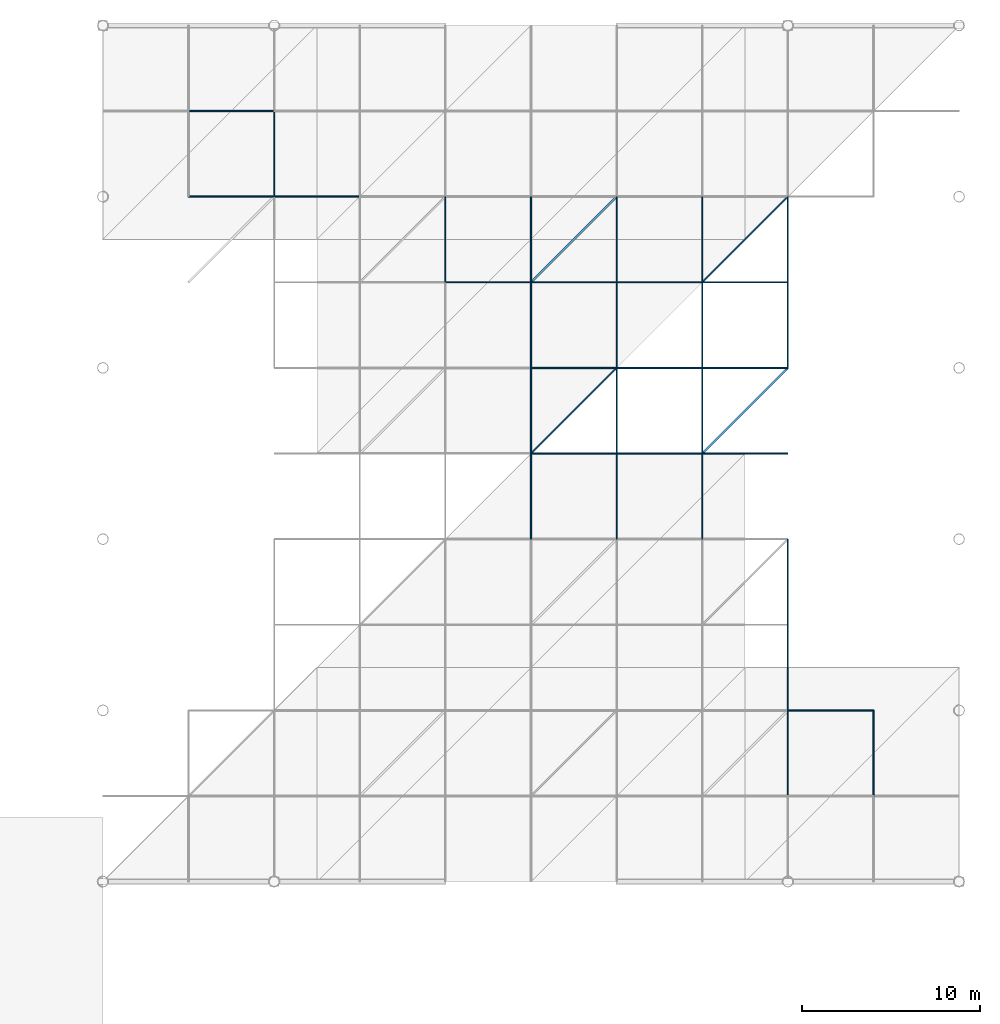
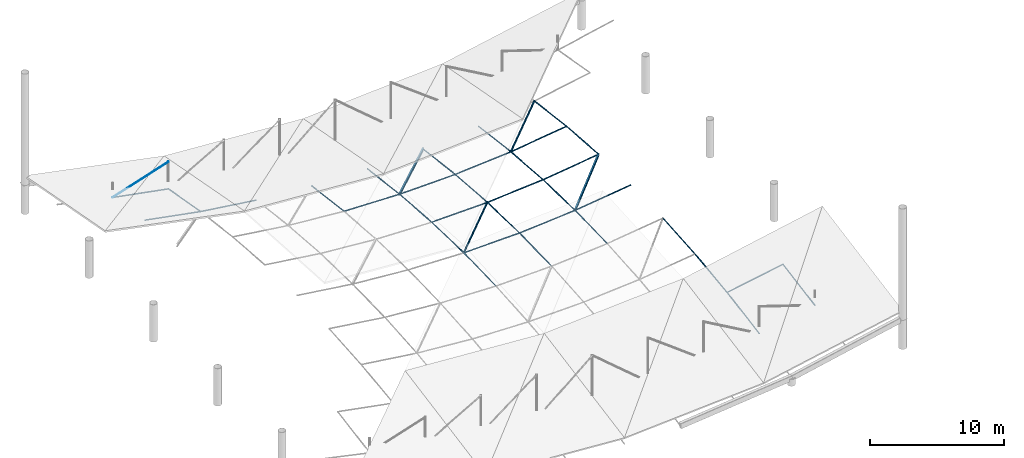
# One storey, part 22 of 40: 39 members.
"""IFC4 building model written with IfcOpenShell, lengths in metres."""

from ifc_helpers import new_model, si_unit, direction, frame, origin, origin_2d, place, context, subcontext, project, spatial, hollow_rectangle, circle, i_section, extrude, material, material_profile, profile_set, type_object, element, save


model = new_model("IFC4")

# Units and contexts
model_context = context("Model", 3, precision=1e-05, world=origin(), true_north=direction((0.0, 1.0)))
body_context = subcontext(model_context, "Body", "Model", "MODEL_VIEW")
ifc_project = project(units=[si_unit("LENGTHUNIT", "METRE"), si_unit("AREAUNIT", "SQUARE_METRE"), si_unit("VOLUMEUNIT", "CUBIC_METRE"), si_unit("PLANEANGLEUNIT", "RADIAN"), si_unit("MASSUNIT", "GRAM", prefix="KILO")], contexts=[model_context])

# Site, building, storey
site_placement = place(None, origin())
site = spatial("IfcSite", under=ifc_project, at=site_placement, CompositionType="ELEMENT")
building_placement = place(site_placement, origin())
building = spatial("IfcBuilding", under=site, at=building_placement, Name="Zevrakil Square Congress Hotel", CompositionType="ELEMENT")
storey_placement = place(building_placement, frame((0.0, 0.0, 18.10009765625)))
storey = spatial("IfcBuildingStorey", under=building, at=storey_placement, Name="L05", CompositionType="ELEMENT", Elevation=18.10009765625)

# Members
ifc_material_1 = material(Name="Steel S355", Category="steel")
ifc_material_profile_1 = material_profile(ifc_material_1, circle(Radius=0.030029296875, at=origin_2d()), Name="CABLE RD60")
ifc_profile_set_1 = profile_set([ifc_material_profile_1], Name="Steel S355")
member_type_1 = type_object("IfcMemberType", Name="MEM-CABLE-RD60", PredefinedType="USERDEFINED", material=ifc_profile_set_1)
member_1_placement = place(storey_placement, frame((122.39990234375, 108.0, 2.577880859375), z_axis=(0.95029004287, 0.0, 0.311366077828), x_axis=(0.0, 1.0, 0.0)))
element("IfcMember", 1, at=member_1_placement, inside=storey, type_object=member_type_1, Name="Congress cable-truss web diagonal CBD-09-2", ObjectType="ROOF CABLE", PredefinedType="USERDEFINED", context=body_context, shape_type="SweptSolid", body=[
    extrude(circle(Radius=0.030029296875, at=origin_2d()), origin(), (0.0, 0.0, 1.0), 5.051025390625),
])
ifc_material_2 = material(Name="Steel S355", Category="steel")
ifc_material_profile_2 = material_profile(ifc_material_2, circle(Radius=0.033935546875, at=origin_2d()), Name="CABLE RD68")
ifc_profile_set_2 = profile_set([ifc_material_profile_2], Name="Steel S355")
member_type_2 = type_object("IfcMemberType", Name="MEM-CABLE-RD68", PredefinedType="USERDEFINED", material=ifc_profile_set_2)
member_2_placement = place(storey_placement, frame((127.199951171875, 103.199951171875, 2.531982421875), z_axis=(0.0, 0.98502770223, -0.172396130582), x_axis=(-1.0, 0.0, 0.0)))
element("IfcMember", 2, at=member_2_placement, inside=storey, type_object=member_type_2, Name="Congress saddle stabilizing cable CBH-02 seg 9", ObjectType="ROOF CABLE", PredefinedType="USERDEFINED", context=body_context, shape_type="SweptSolid", body=[
    extrude(circle(Radius=0.033935546875, at=origin_2d()), origin(), (0.0, 0.0, 1.0), 4.873046875),
])
member_3_placement = place(storey_placement, frame((136.800048828125, 98.39990234375, 2.10791015625), z_axis=(0.0, 0.99227554719, -0.12405336936), x_axis=(-1.0, 0.0, 0.0)))
element("IfcMember", 3, at=member_3_placement, inside=storey, type_object=member_type_2, Name="Congress saddle stabilizing cable CBH-04 seg 8", ObjectType="ROOF CABLE", PredefinedType="USERDEFINED", context=body_context, shape_type="SweptSolid", body=[
    extrude(circle(Radius=0.033935546875, at=origin_2d()), origin(), (0.0, 0.0, 1.0), 4.83740234375),
])
for number, where, z_axis, x_axis, name in (
    (4, (141.60009765625, 84.0, 2.33984375), (0.0, 0.999687042695, 0.02501632801), (-1.0, 0.0, 0.0), "Congress saddle stabilizing cable CBH-05 seg 5"),
    (5, (141.60009765625, 88.800048828125, 2.4599609375), (0.0, 0.999687042695, -0.02501632801), (-1.0, 0.0, 0.0), "Congress saddle stabilizing cable CBH-05 seg 6"),
):
    element("IfcMember", number, at=place(storey_placement, frame(where, z_axis=z_axis, x_axis=x_axis)), inside=storey, type_object=member_type_2, Name=name, ObjectType="ROOF CABLE", PredefinedType="USERDEFINED", context=body_context, shape_type="SweptSolid", body=[
        extrude(circle(Radius=0.033935546875, at=origin_2d()), origin(), (0.0, 0.0, 1.0), 4.801513671875),
    ])
member_4_placement = place(storey_placement, frame((141.60009765625, 93.60009765625, 2.33984375), z_axis=(0.0, 0.997201201018, -0.074764728906), x_axis=(-1.0, 0.0, 0.0)))
element("IfcMember", 6, at=member_4_placement, inside=storey, type_object=member_type_2, Name="Congress saddle stabilizing cable CBH-05 seg 7", ObjectType="ROOF CABLE", PredefinedType="USERDEFINED", context=body_context, shape_type="SweptSolid", body=[
    extrude(circle(Radius=0.033935546875, at=origin_2d()), origin(), (0.0, 0.0, 1.0), 4.813232421875),
])
member_5_placement = place(storey_placement, frame((141.60009765625, 98.39990234375, 1.97998046875), z_axis=(0.0, 0.99227554719, -0.12405336936), x_axis=(-1.0, 0.0, 0.0)))
element("IfcMember", 7, at=member_5_placement, inside=storey, type_object=member_type_2, Name="Congress saddle stabilizing cable CBH-05 seg 8", ObjectType="ROOF CABLE", PredefinedType="USERDEFINED", context=body_context, shape_type="SweptSolid", body=[
    extrude(circle(Radius=0.033935546875, at=origin_2d()), origin(), (0.0, 0.0, 1.0), 4.83740234375),
])
for number, where, z_axis, x_axis, name in (
    (8, (146.39990234375, 84.0, 2.468017578125), (0.0, 0.999688312992, 0.024965513538), (-1.0, 0.0, 0.0), "Congress saddle stabilizing cable CBH-06 seg 5"),
    (9, (146.39990234375, 88.800048828125, 2.587890625), (0.0, 0.999688312992, -0.024965513538), (-1.0, 0.0, 0.0), "Congress saddle stabilizing cable CBH-06 seg 6"),
):
    element("IfcMember", number, at=place(storey_placement, frame(where, z_axis=z_axis, x_axis=x_axis)), inside=storey, type_object=member_type_2, Name=name, ObjectType="ROOF CABLE", PredefinedType="USERDEFINED", context=body_context, shape_type="SweptSolid", body=[
        extrude(circle(Radius=0.033935546875, at=origin_2d()), origin(), (0.0, 0.0, 1.0), 4.801513671875),
    ])
member_6_placement = place(storey_placement, frame((146.39990234375, 93.60009765625, 2.468017578125), z_axis=(0.0, 0.997197418128, -0.074815167433), x_axis=(-1.0, 0.0, 0.0)))
element("IfcMember", 10, at=member_6_placement, inside=storey, type_object=member_type_2, Name="Congress saddle stabilizing cable CBH-06 seg 7", ObjectType="ROOF CABLE", PredefinedType="USERDEFINED", context=body_context, shape_type="SweptSolid", body=[
    extrude(circle(Radius=0.033935546875, at=origin_2d()), origin(), (0.0, 0.0, 1.0), 4.813232421875),
])
member_7_placement = place(storey_placement, frame((146.39990234375, 98.39990234375, 2.10791015625), z_axis=(0.0, 0.99227554719, -0.12405336936), x_axis=(-1.0, 0.0, 0.0)))
element("IfcMember", 11, at=member_7_placement, inside=storey, type_object=member_type_2, Name="Congress saddle stabilizing cable CBH-06 seg 8", ObjectType="ROOF CABLE", PredefinedType="USERDEFINED", context=body_context, shape_type="SweptSolid", body=[
    extrude(circle(Radius=0.033935546875, at=origin_2d()), origin(), (0.0, 0.0, 1.0), 4.83740234375),
])
for number, where, z_axis, x_axis, name in (
    (12, (151.199951171875, 84.0, 2.851806640625), (0.0, 0.999687042695, 0.02501632801), (-1.0, 0.0, 0.0), "Congress saddle stabilizing cable CBH-07 seg 5"),
    (13, (151.199951171875, 88.800048828125, 2.971923828125), (0.0, 0.999687042695, -0.02501632801), (-1.0, 0.0, 0.0), "Congress saddle stabilizing cable CBH-07 seg 6"),
):
    element("IfcMember", number, at=place(storey_placement, frame(where, z_axis=z_axis, x_axis=x_axis)), inside=storey, type_object=member_type_2, Name=name, ObjectType="ROOF CABLE", PredefinedType="USERDEFINED", context=body_context, shape_type="SweptSolid", body=[
        extrude(circle(Radius=0.033935546875, at=origin_2d()), origin(), (0.0, 0.0, 1.0), 4.801513671875),
    ])
member_8_placement = place(storey_placement, frame((151.199951171875, 93.60009765625, 2.851806640625), z_axis=(0.0, 0.997201201018, -0.074764728906), x_axis=(-1.0, 0.0, 0.0)))
element("IfcMember", 14, at=member_8_placement, inside=storey, type_object=member_type_2, Name="Congress saddle stabilizing cable CBH-07 seg 7", ObjectType="ROOF CABLE", PredefinedType="USERDEFINED", context=body_context, shape_type="SweptSolid", body=[
    extrude(circle(Radius=0.033935546875, at=origin_2d()), origin(), (0.0, 0.0, 1.0), 4.813232421875),
])
member_9_placement = place(storey_placement, frame((151.199951171875, 98.39990234375, 2.491943359375), z_axis=(0.0, 0.99227554719, -0.12405336936), x_axis=(-1.0, 0.0, 0.0)))
element("IfcMember", 15, at=member_9_placement, inside=storey, type_object=member_type_2, Name="Congress saddle stabilizing cable CBH-07 seg 8", ObjectType="ROOF CABLE", PredefinedType="USERDEFINED", context=body_context, shape_type="SweptSolid", body=[
    extrude(circle(Radius=0.033935546875, at=origin_2d()), origin(), (0.0, 0.0, 1.0), 4.83740234375),
])
member_10_placement = place(storey_placement, frame((156.0, 69.60009765625, 1.69189453125), z_axis=(0.0, 0.985026213109, 0.172404638825), x_axis=(-1.0, 0.0, 0.0)))
element("IfcMember", 16, at=member_10_placement, inside=storey, type_object=member_type_2, Name="Congress saddle stabilizing cable CBH-08 seg 2", ObjectType="ROOF CABLE", PredefinedType="USERDEFINED", context=body_context, shape_type="SweptSolid", body=[
    extrude(circle(Radius=0.033935546875, at=origin_2d()), origin(), (0.0, 0.0, 1.0), 4.872802734375),
])
member_11_placement = place(storey_placement, frame((156.0, 74.39990234375, 2.531982421875), z_axis=(0.0, 0.9922817585, 0.124003676346), x_axis=(-1.0, 0.0, 0.0)))
element("IfcMember", 17, at=member_11_placement, inside=storey, type_object=member_type_2, Name="Congress saddle stabilizing cable CBH-08 seg 3", ObjectType="ROOF CABLE", PredefinedType="USERDEFINED", context=body_context, shape_type="SweptSolid", body=[
    extrude(circle(Radius=0.033935546875, at=origin_2d()), origin(), (0.0, 0.0, 1.0), 4.83740234375),
])
member_12_placement = place(storey_placement, frame((156.0, 79.199951171875, 3.1318359375), z_axis=(0.0, 0.997197702014, 0.074811383473), x_axis=(-1.0, 0.0, 0.0)))
element("IfcMember", 18, at=member_12_placement, inside=storey, type_object=member_type_2, Name="Congress saddle stabilizing cable CBH-08 seg 4", ObjectType="ROOF CABLE", PredefinedType="USERDEFINED", context=body_context, shape_type="SweptSolid", body=[
    extrude(circle(Radius=0.033935546875, at=origin_2d()), origin(), (0.0, 0.0, 1.0), 4.8134765625),
])
member_13_placement = place(storey_placement, frame((156.0, 93.60009765625, 3.491943359375), z_axis=(0.0, 0.997197418128, -0.074815167433), x_axis=(-1.0, 0.0, 0.0)))
element("IfcMember", 19, at=member_13_placement, inside=storey, type_object=member_type_2, Name="Congress saddle stabilizing cable CBH-08 seg 7", ObjectType="ROOF CABLE", PredefinedType="USERDEFINED", context=body_context, shape_type="SweptSolid", body=[
    extrude(circle(Radius=0.033935546875, at=origin_2d()), origin(), (0.0, 0.0, 1.0), 4.813232421875),
])
member_14_placement = place(storey_placement, frame((156.0, 98.39990234375, 3.1318359375), z_axis=(0.0, 0.9922817585, -0.124003676346), x_axis=(-1.0, 0.0, 0.0)))
element("IfcMember", 20, at=member_14_placement, inside=storey, type_object=member_type_2, Name="Congress saddle stabilizing cable CBH-08 seg 8", ObjectType="ROOF CABLE", PredefinedType="USERDEFINED", context=body_context, shape_type="SweptSolid", body=[
    extrude(circle(Radius=0.033935546875, at=origin_2d()), origin(), (0.0, 0.0, 1.0), 4.83740234375),
])
member_15_placement = place(storey_placement, frame((160.800048828125, 69.60009765625, 2.587890625), z_axis=(0.0, 0.985026213109, 0.172404638825), x_axis=(-1.0, 0.0, 0.0)))
element("IfcMember", 21, at=member_15_placement, inside=storey, type_object=member_type_2, Name="Congress saddle stabilizing cable CBH-09 seg 2", ObjectType="ROOF CABLE", PredefinedType="USERDEFINED", context=body_context, shape_type="SweptSolid", body=[
    extrude(circle(Radius=0.033935546875, at=origin_2d()), origin(), (0.0, 0.0, 1.0), 4.872802734375),
])
ifc_material_3 = material(Name="Steel S355", Category="steel")
ifc_material_profile_3 = material_profile(ifc_material_3, circle(Radius=0.0380859375, at=origin_2d()), Name="CABLE RD76")
ifc_profile_set_3 = profile_set([ifc_material_profile_3], Name="Steel S355")
member_type_3 = type_object("IfcMemberType", Name="MEM-CABLE-RD76", PredefinedType="USERDEFINED", material=ifc_profile_set_3)
member_16_placement = place(storey_placement, frame((156.0, 74.39990234375, 2.52197265625), z_axis=(0.983020729765, 0.0, 0.183494536302), x_axis=(0.0, 1.0, 0.0)))
element("IfcMember", 22, at=member_16_placement, inside=storey, type_object=member_type_3, Name="Congress saddle carrying cable CBS-02 seg 9", ObjectType="ROOF CABLE", PredefinedType="USERDEFINED", context=body_context, shape_type="SweptSolid", body=[
    extrude(circle(Radius=0.0380859375, at=origin_2d()), origin(), (0.0, 0.0, 1.0), 4.883056640625),
])
member_17_placement = place(storey_placement, frame((141.60009765625, 88.800048828125, 2.449951171875), z_axis=(0.999644995189, 0.0, 0.026643640767), x_axis=(0.0, 1.0, 0.0)))
element("IfcMember", 23, at=member_17_placement, inside=storey, type_object=member_type_3, Name="Congress saddle carrying cable CBS-05 seg 6", ObjectType="ROOF CABLE", PredefinedType="USERDEFINED", context=body_context, shape_type="SweptSolid", body=[
    extrude(circle(Radius=0.0380859375, at=origin_2d()), origin(), (0.0, 0.0, 1.0), 4.801513671875),
])
member_18_placement = place(storey_placement, frame((146.39990234375, 88.800048828125, 2.577880859375), z_axis=(0.996814794892, 0.0, 0.079751267604), x_axis=(0.0, 1.0, 0.0)))
element("IfcMember", 24, at=member_18_placement, inside=storey, type_object=member_type_3, Name="Congress saddle carrying cable CBS-05 seg 7", ObjectType="ROOF CABLE", PredefinedType="USERDEFINED", context=body_context, shape_type="SweptSolid", body=[
    extrude(circle(Radius=0.0380859375, at=origin_2d()), origin(), (0.0, 0.0, 1.0), 4.8154296875),
])
member_19_placement = place(storey_placement, frame((151.199951171875, 88.800048828125, 2.9619140625), z_axis=(0.99123098262, 0.0, 0.132140603502), x_axis=(0.0, 1.0, 0.0)))
element("IfcMember", 25, at=member_19_placement, inside=storey, type_object=member_type_3, Name="Congress saddle carrying cable CBS-05 seg 8", ObjectType="ROOF CABLE", PredefinedType="USERDEFINED", context=body_context, shape_type="SweptSolid", body=[
    extrude(circle(Radius=0.0380859375, at=origin_2d()), origin(), (0.0, 0.0, 1.0), 4.842529296875),
])
member_20_placement = place(storey_placement, frame((141.60009765625, 93.60009765625, 2.329833984375), z_axis=(0.999643639641, 0.0, 0.026694451211), x_axis=(0.0, 1.0, 0.0)))
element("IfcMember", 26, at=member_20_placement, inside=storey, type_object=member_type_3, Name="Congress saddle carrying cable CBS-06 seg 6", ObjectType="ROOF CABLE", PredefinedType="USERDEFINED", context=body_context, shape_type="SweptSolid", body=[
    extrude(circle(Radius=0.0380859375, at=origin_2d()), origin(), (0.0, 0.0, 1.0), 4.801513671875),
])
member_21_placement = place(storey_placement, frame((146.39990234375, 93.60009765625, 2.4580078125), z_axis=(0.996818824154, 0.0, 0.079700889658), x_axis=(0.0, 1.0, 0.0)))
element("IfcMember", 27, at=member_21_placement, inside=storey, type_object=member_type_3, Name="Congress saddle carrying cable CBS-06 seg 7", ObjectType="ROOF CABLE", PredefinedType="USERDEFINED", context=body_context, shape_type="SweptSolid", body=[
    extrude(circle(Radius=0.0380859375, at=origin_2d()), origin(), (0.0, 0.0, 1.0), 4.8154296875),
])
member_22_placement = place(storey_placement, frame((151.199951171875, 93.60009765625, 2.841796875), z_axis=(0.991224377832, 0.0, 0.132190138786), x_axis=(0.0, 1.0, 0.0)))
element("IfcMember", 28, at=member_22_placement, inside=storey, type_object=member_type_3, Name="Congress saddle carrying cable CBS-06 seg 8", ObjectType="ROOF CABLE", PredefinedType="USERDEFINED", context=body_context, shape_type="SweptSolid", body=[
    extrude(circle(Radius=0.0380859375, at=origin_2d()), origin(), (0.0, 0.0, 1.0), 4.842529296875),
])
member_23_placement = place(storey_placement, frame((136.800048828125, 98.39990234375, 2.097900390625), z_axis=(0.999645031282, 0.0, -0.026642286577), x_axis=(0.0, 1.0, 0.0)))
element("IfcMember", 29, at=member_23_placement, inside=storey, type_object=member_type_3, Name="Congress saddle carrying cable CBS-07 seg 5", ObjectType="ROOF CABLE", PredefinedType="USERDEFINED", context=body_context, shape_type="SweptSolid", body=[
    extrude(circle(Radius=0.0380859375, at=origin_2d()), origin(), (0.0, 0.0, 1.0), 4.8017578125),
])
member_24_placement = place(storey_placement, frame((141.60009765625, 98.39990234375, 1.969970703125), z_axis=(0.999644995189, 0.0, 0.026643640767), x_axis=(0.0, 1.0, 0.0)))
element("IfcMember", 30, at=member_24_placement, inside=storey, type_object=member_type_3, Name="Congress saddle carrying cable CBS-07 seg 6", ObjectType="ROOF CABLE", PredefinedType="USERDEFINED", context=body_context, shape_type="SweptSolid", body=[
    extrude(circle(Radius=0.0380859375, at=origin_2d()), origin(), (0.0, 0.0, 1.0), 4.801513671875),
])
member_25_placement = place(storey_placement, frame((146.39990234375, 98.39990234375, 2.097900390625), z_axis=(0.996814794892, 0.0, 0.079751267604), x_axis=(0.0, 1.0, 0.0)))
element("IfcMember", 31, at=member_25_placement, inside=storey, type_object=member_type_3, Name="Congress saddle carrying cable CBS-07 seg 7", ObjectType="ROOF CABLE", PredefinedType="USERDEFINED", context=body_context, shape_type="SweptSolid", body=[
    extrude(circle(Radius=0.0380859375, at=origin_2d()), origin(), (0.0, 0.0, 1.0), 4.8154296875),
])
member_26_placement = place(storey_placement, frame((151.199951171875, 98.39990234375, 2.48193359375), z_axis=(0.99123098262, 0.0, 0.132140603502), x_axis=(0.0, 1.0, 0.0)))
element("IfcMember", 32, at=member_26_placement, inside=storey, type_object=member_type_3, Name="Congress saddle carrying cable CBS-07 seg 8", ObjectType="ROOF CABLE", PredefinedType="USERDEFINED", context=body_context, shape_type="SweptSolid", body=[
    extrude(circle(Radius=0.0380859375, at=origin_2d()), origin(), (0.0, 0.0, 1.0), 4.842529296875),
])
member_27_placement = place(storey_placement, frame((122.39990234375, 103.199951171875, 3.41796875), z_axis=(0.983020729765, 0.0, -0.183494536302), x_axis=(0.0, 1.0, 0.0)))
element("IfcMember", 33, at=member_27_placement, inside=storey, type_object=member_type_3, Name="Congress saddle carrying cable CBS-08 seg 2", ObjectType="ROOF CABLE", PredefinedType="USERDEFINED", context=body_context, shape_type="SweptSolid", body=[
    extrude(circle(Radius=0.0380859375, at=origin_2d()), origin(), (0.0, 0.0, 1.0), 4.883056640625),
])
member_28_placement = place(storey_placement, frame((127.199951171875, 103.199951171875, 2.52197265625), z_axis=(0.991224377832, 0.0, -0.132190138786), x_axis=(0.0, 1.0, 0.0)))
element("IfcMember", 34, at=member_28_placement, inside=storey, type_object=member_type_3, Name="Congress saddle carrying cable CBS-08 seg 3", ObjectType="ROOF CABLE", PredefinedType="USERDEFINED", context=body_context, shape_type="SweptSolid", body=[
    extrude(circle(Radius=0.0380859375, at=origin_2d()), origin(), (0.0, 0.0, 1.0), 4.842529296875),
])
member_29_placement = place(storey_placement, frame((122.39990234375, 108.0, 2.577880859375), z_axis=(0.983020729765, 0.0, -0.183494536302), x_axis=(0.0, 1.0, 0.0)))
element("IfcMember", 35, at=member_29_placement, inside=storey, type_object=member_type_3, Name="Congress saddle carrying cable CBS-09 seg 2", ObjectType="ROOF CABLE", PredefinedType="USERDEFINED", context=body_context, shape_type="SweptSolid", body=[
    extrude(circle(Radius=0.0380859375, at=origin_2d()), origin(), (0.0, 0.0, 1.0), 4.883056640625),
])
ifc_material_4 = material(Name="Steel S355", Category="steel")
ifc_material_profile_4 = material_profile(ifc_material_4, i_section(OverallWidth=0.1201171875, OverallDepth=0.239990234375, WebThickness=0.006103515625, FlangeThickness=0.009765625, FilletRadius=0.014892578125, at=origin_2d()), Name="IPE 240")
ifc_profile_set_4 = profile_set([ifc_material_profile_4], Name="Steel S355")
member_type_4 = type_object("IfcMemberType", Name="MEM-PURLIN-IPE240", PredefinedType="PURLIN", material=ifc_profile_set_4)
member_30_placement = place(storey_placement, frame((141.60009765625, 98.39990234375, 1.97998046875), z_axis=(0.705384422331, 0.705420301498, -0.069390308891), x_axis=(-0.707124763888, 0.707088798028, 0.0)))
element("IfcMember", 36, at=member_30_placement, inside=storey, type_object=member_type_4, Name="Congress roof secondary purlin CPA-05-07", PredefinedType="PURLIN", context=body_context, shape_type="SweptSolid", body=[
    extrude(i_section(OverallWidth=0.1201171875, OverallDepth=0.239990234375, WebThickness=0.006103515625, FlangeThickness=0.009765625, FilletRadius=0.014892578125, at=origin_2d()), origin(), (0.0, 0.0, 1.0), 6.804443359375),
])
member_31_placement = place(storey_placement, frame((151.199951171875, 88.800048828125, 2.971923828125), z_axis=(0.705041083893, 0.705041083893, 0.076381542581), x_axis=(-0.707106781187, 0.707106781187, 0.0)))
element("IfcMember", 37, at=member_31_placement, inside=storey, type_object=member_type_4, Name="Congress roof secondary purlin CPA-07-05", PredefinedType="PURLIN", context=body_context, shape_type="SweptSolid", body=[
    extrude(i_section(OverallWidth=0.1201171875, OverallDepth=0.239990234375, WebThickness=0.006103515625, FlangeThickness=0.009765625, FilletRadius=0.014892578125, at=origin_2d()), origin(), (0.0, 0.0, 1.0), 6.80810546875),
])
ifc_material_5 = material(Name="Steel S355", Category="steel")
ifc_material_profile_5 = material_profile(ifc_material_5, hollow_rectangle(XDim=0.10009765625, YDim=0.199951171875, WallThickness=0.010009765625, InnerFilletRadius=0.010009765625, OuterFilletRadius=0.02001953125, at=origin_2d()), Name="RHS 200x100x10")
ifc_profile_set_5 = profile_set([ifc_material_profile_5], Name="Steel S355")
member_type_5 = type_object("IfcMemberType", Name="MEM-PURLIN-RHS200", PredefinedType="PURLIN", material=ifc_profile_set_5)
member_32_placement = place(storey_placement, frame((141.60009765625, 88.800048828125, 2.4599609375), z_axis=(0.707088300002, 0.707124265836, 0.001186872528), x_axis=(-0.707124763888, 0.707088798028, 0.0)))
element("IfcMember", 38, at=member_32_placement, inside=storey, type_object=member_type_5, Name="Congress roof secondary purlin CPB-05-05", PredefinedType="PURLIN", context=body_context, shape_type="SweptSolid", body=[
    extrude(hollow_rectangle(XDim=0.10009765625, YDim=0.199951171875, WallThickness=0.010009765625, InnerFilletRadius=0.010009765625, OuterFilletRadius=0.02001953125, at=origin_2d()), origin(), (0.0, 0.0, 1.0), 6.7880859375),
])
member_33_placement = place(storey_placement, frame((151.199951171875, 98.39990234375, 2.491943359375), z_axis=(0.70709448161, 0.70709448161, 0.005898148364), x_axis=(-0.707106781187, 0.707106781187, 0.0)))
element("IfcMember", 39, at=member_33_placement, inside=storey, type_object=member_type_5, Name="Congress roof secondary purlin CPB-07-07", PredefinedType="PURLIN", context=body_context, shape_type="SweptSolid", body=[
    extrude(hollow_rectangle(XDim=0.10009765625, YDim=0.199951171875, WallThickness=0.010009765625, InnerFilletRadius=0.010009765625, OuterFilletRadius=0.02001953125, at=origin_2d()), origin(), (0.0, 0.0, 1.0), 6.788330078125),
])

save(model, "model.ifc")
